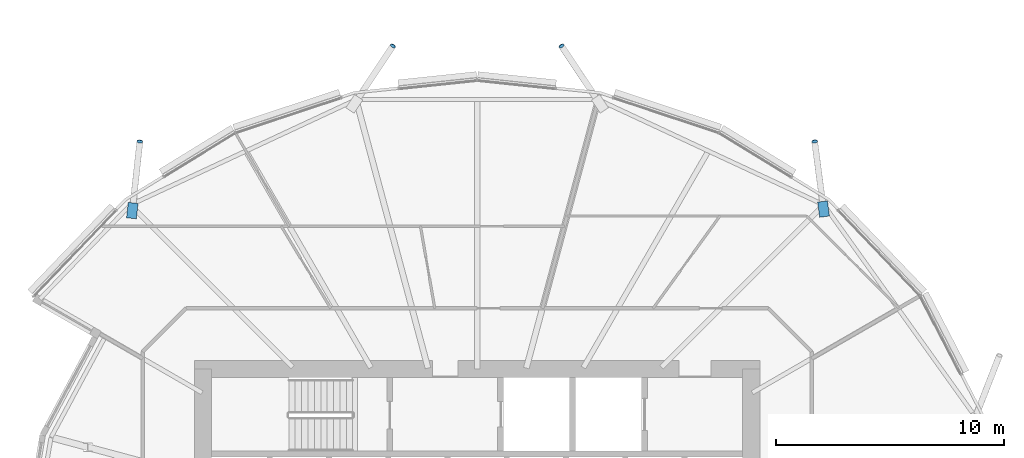
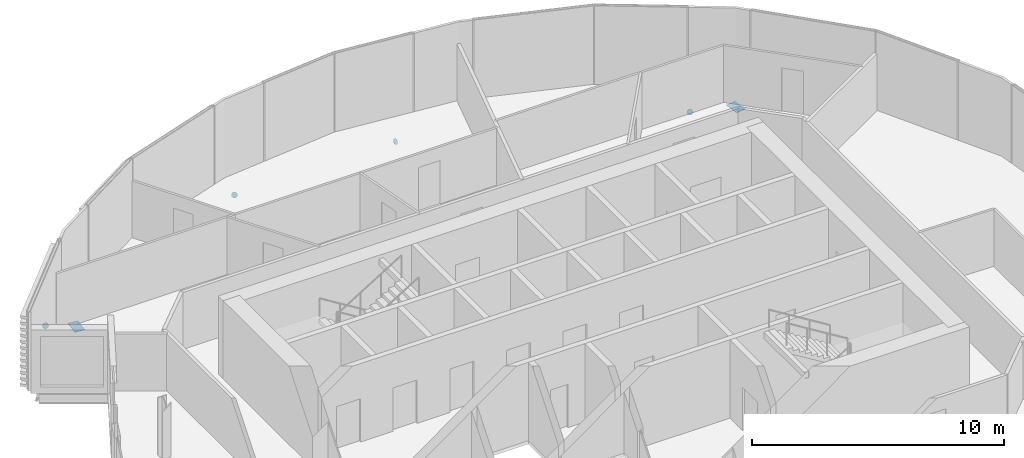
# One storey, part 29 of 38: 6 discrete accessories.
"""IFC4 building model written with IfcOpenShell, lengths in metres."""

from ifc_helpers import new_model, si_unit, direction, frame, origin, origin_2d, place, context, subcontext, project, spatial, polyline, rectangle, circle, outline, extrude, material, material_profile, profile_set, type_object, element, save


model = new_model("IFC4")

# Units and contexts
model_context = context("Model", 3, precision=1e-05, world=origin(), true_north=direction((0.0, 1.0)))
body_context = subcontext(model_context, "Body", "Model", "MODEL_VIEW")
ifc_project = project(units=[si_unit("LENGTHUNIT", "METRE"), si_unit("AREAUNIT", "SQUARE_METRE"), si_unit("VOLUMEUNIT", "CUBIC_METRE"), si_unit("PLANEANGLEUNIT", "RADIAN"), si_unit("MASSUNIT", "GRAM", prefix="KILO")], contexts=[model_context])

# Site, building, storey
site_placement = place(None, origin())
site = spatial("IfcSite", under=ifc_project, at=site_placement, CompositionType="ELEMENT")
building_placement = place(site_placement, origin())
building = spatial("IfcBuilding", under=site, at=building_placement, Name="Rimbun Link Towers", CompositionType="ELEMENT")
storey_placement = place(building_placement, frame((0.0, 0.0, 123.39990234375)))
storey = spatial("IfcBuildingStorey", under=building, at=storey_placement, Name="L30", CompositionType="ELEMENT", Elevation=123.39990234375)

# Discrete accessories
ifc_material_1 = material(Name="Steel S355J2H", Category="steel")
ifc_material_profile_1 = material_profile(ifc_material_1, circle(Radius=0.1240234375, at=origin_2d()), Name="PL D248")
ifc_profile_set_1 = profile_set([ifc_material_profile_1], Name="Steel S355J2H")
discrete_accessory_type_1 = type_object("IfcDiscreteAccessoryType", Name="Link foot sealing plate D248X20", PredefinedType="BRACKET", material=ifc_profile_set_1)
for number, where, z_axis, x_axis, name in (
    (1, (-16.97021484375, 17.9521484375, -2.6015625), (-0.10931801249, 0.838104762425, -0.534443616619), (-0.991600411186, -0.129339184068, 0.0), "Link foot sealing plate T1 L30 03"),
    (2, (-28.0546875, 22.136474609375, -2.68798828125), (-0.474131282403, 0.717275529789, -0.510602919511), (-0.834219174646, -0.551433013749, 0.0), "Link foot sealing plate T1 L30 05"),
    (3, (-35.4453125, 22.136474609375, -2.68798828125), (0.474131282403, 0.717275529789, -0.510602919511), (-0.834219174646, 0.551433013749, 0.0), "Link foot sealing plate T1 L30 07"),
    (4, (-46.522216796875, 17.949462890625, -2.6044921875), (0.085781479537, 0.845560298294, -0.526943374299), (-0.994893406257, 0.100931215127, 0.0), "Link foot sealing plate T1 L30 09"),
):
    element("IfcDiscreteAccessory", number, at=place(storey_placement, frame(where, z_axis=z_axis, x_axis=x_axis)), inside=storey, type_object=discrete_accessory_type_1, Name=name, PredefinedType="BRACKET", context=body_context, shape_type="SweptSolid", body=[
        extrude(circle(Radius=0.1240234375, at=origin_2d()), origin(), (0.0, 0.0, 1.0), 0.02001953125),
    ])
ifc_material_2 = material(Name="Steel S355J2H", Category="steel")
ifc_material_profile_2 = material_profile(ifc_material_2, rectangle(XDim=0.43310546875, YDim=0.43310546875, at=origin_2d()), Name="PL 433x433")
ifc_profile_set_2 = profile_set([ifc_material_profile_2], Name="Steel S355J2H")
discrete_accessory_type_2 = type_object("IfcDiscreteAccessoryType", Name="Link head end plate 433X20", PredefinedType="BRACKET", material=ifc_profile_set_2)
discrete_accessory_1_placement = place(storey_placement, frame((0.0, 0.0, -0.712890625)))
element("IfcDiscreteAccessory", 5, at=discrete_accessory_1_placement, inside=storey, type_object=discrete_accessory_type_2, Name="Link head end plate T1 L30 03", PredefinedType="BRACKET", context=body_context, shape_type="SweptSolid", body=[
    extrude(outline(polyline([(-16.323486328125, 14.695556640625), (-16.410888671875, 15.359619140625), (-16.840087890625, 15.30322265625), (-16.7529296875, 14.63916015625), (-16.323486328125, 14.695556640625)])), origin(), (0.0, 0.0, 1.0), 0.019775390625),
])
discrete_accessory_2_placement = place(storey_placement, frame((0.0, 0.0, -0.712890625)))
element("IfcDiscreteAccessory", 6, at=discrete_accessory_2_placement, inside=storey, type_object=discrete_accessory_type_2, Name="Link head end plate T1 L30 09", PredefinedType="BRACKET", context=body_context, shape_type="SweptSolid", body=[
    extrude(outline(polyline([(-46.673095703125, 14.572021484375), (-46.599609375, 15.244384765625), (-47.030029296875, 15.291259765625), (-47.103515625, 14.619140625), (-46.673095703125, 14.572021484375)])), origin(), (0.0, 0.0, 1.0), 0.019775390625),
])

save(model, "model.ifc")
